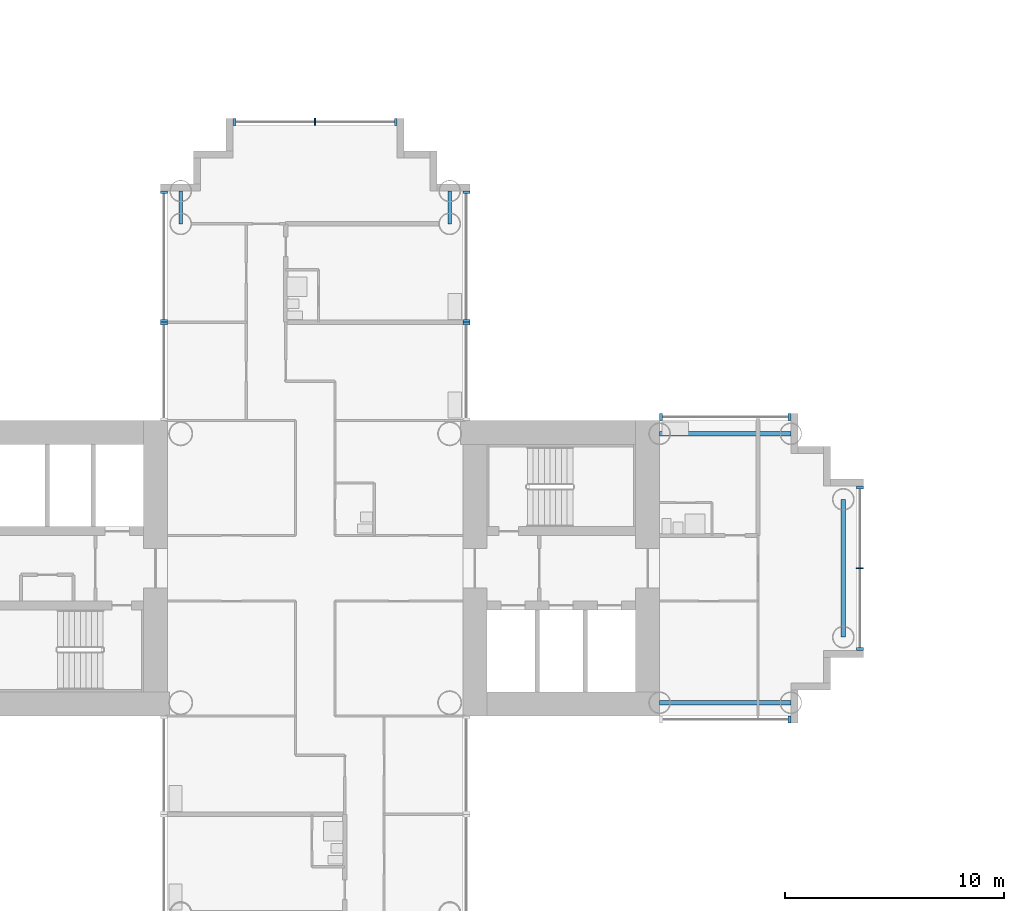
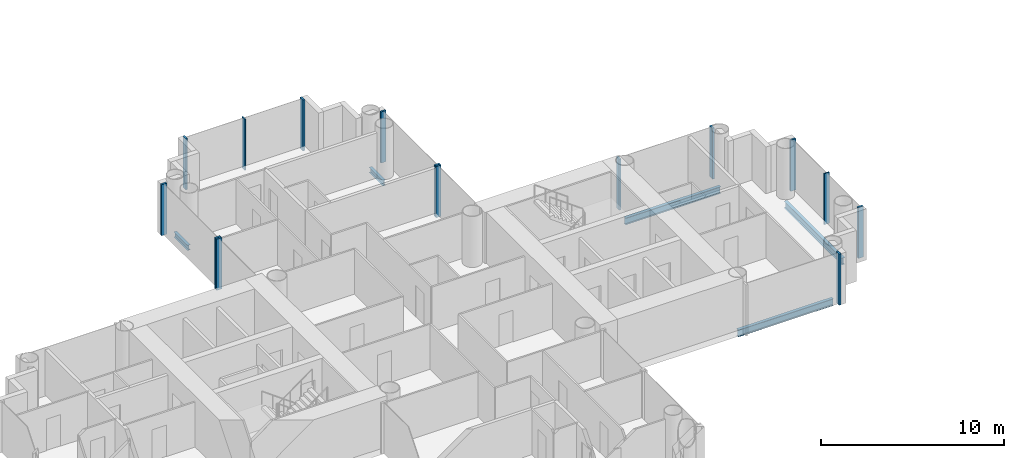
# One storey, part 4 of 21: 15 members, 5 beams, 8 elements without a shape of their own.
"""IFC4 building model written with IfcOpenShell, lengths in metres."""

from ifc_helpers import new_model, si_unit, direction, frame, origin, origin_2d, place, context, subcontext, project, spatial, rectangle, i_section, extrude, material, layer, layer_set, material_profile, profile_set, type_object, element, aggregate, save


model = new_model("IFC4")

# Units and contexts
model_context = context("Model", 3, precision=1e-05, world=origin(), true_north=direction((0.0, 1.0)))
body_context = subcontext(model_context, "Body", "Model", "MODEL_VIEW")
ifc_project = project(units=[si_unit("LENGTHUNIT", "METRE"), si_unit("AREAUNIT", "SQUARE_METRE"), si_unit("VOLUMEUNIT", "CUBIC_METRE"), si_unit("PLANEANGLEUNIT", "RADIAN"), si_unit("MASSUNIT", "GRAM", prefix="KILO")], contexts=[model_context])

# Site, building, storey
site_placement = place(None, origin())
site = spatial("IfcSite", under=ifc_project, at=site_placement, CompositionType="ELEMENT")
building_placement = place(site_placement, origin())
building = spatial("IfcBuilding", under=site, at=building_placement, Name="Ipe Terrace Towers", CompositionType="ELEMENT")
storey_placement = place(building_placement, frame((0.0, 0.0, 48.300048828125)))
storey = spatial("IfcBuildingStorey", under=building, at=storey_placement, Name="L12", CompositionType="ELEMENT", Elevation=48.300048828125)

# Beams
ifc_material_1 = material(Name="Steel S355", Category="steel")
ifc_material_profile_1 = material_profile(ifc_material_1, i_section(OverallWidth=0.175048828125, OverallDepth=0.35009765625, WebThickness=0.007080078125, FlangeThickness=0.010986328125, at=origin_2d()), Name="H-350x175x7x11")
ifc_profile_set_1 = profile_set([ifc_material_profile_1], Name="Steel S355")
beam_type_1 = type_object("IfcBeamType", Name="H04 EDGE BEAM H-350x175x7x11", PredefinedType="BEAM", material=ifc_profile_set_1)
for number, where, z_axis, x_axis, name in (
    (1, (-29.85009765625, 15.75, -0.574951171875), (0.0, 1.0, 0.0), (-1.0, 0.0, 0.0), "Edge beam T1-EB-B03-B05"),
    (2, (-42.14990234375, 15.75, -0.574951171875), (0.0, 1.0, 0.0), (-1.0, 0.0, 0.0), "Edge beam T1-EB-B04-B06"),
):
    element("IfcBeam", number, at=place(storey_placement, frame(where, z_axis=z_axis, x_axis=x_axis)), inside=storey, type_object=beam_type_1, Name=name, PredefinedType="BEAM", context=body_context, shape_type="SweptSolid", body=[
        extrude(i_section(OverallWidth=0.175048828125, OverallDepth=0.35009765625, WebThickness=0.007080078125, FlangeThickness=0.010986328125, at=origin_2d()), origin(), (0.0, 0.0, 1.0), 1.5),
    ])
ifc_material_2 = material(Name="Steel S355", Category="steel")
ifc_material_profile_2 = material_profile(ifc_material_2, i_section(OverallWidth=0.199951171875, OverallDepth=0.449951171875, WebThickness=0.009033203125, FlangeThickness=0.013916015625, at=origin_2d()), Name="H-450x200x9x14")
ifc_profile_set_2 = profile_set([ifc_material_profile_2], Name="Steel S355")
beam_type_2 = type_object("IfcBeamType", Name="H08 EDGE BEAM H-450x200x9x14", PredefinedType="BEAM", material=ifc_profile_set_2)
for number, where, z_axis, x_axis, name in (
    (3, (-20.25, -6.14990234375, -0.625), (1.0, 0.0, 0.0), (0.0, 1.0, 0.0), "Edge beam T1-EB-A01-A03"),
    (4, (-20.25, 6.14990234375, -0.625), (1.0, 0.0, 0.0), (0.0, 1.0, 0.0), "Edge beam T1-EB-A02-A04"),
):
    element("IfcBeam", number, at=place(storey_placement, frame(where, z_axis=z_axis, x_axis=x_axis)), inside=storey, type_object=beam_type_2, Name=name, PredefinedType="BEAM", context=body_context, shape_type="SweptSolid", body=[
        extrude(i_section(OverallWidth=0.199951171875, OverallDepth=0.449951171875, WebThickness=0.009033203125, FlangeThickness=0.013916015625, at=origin_2d()), origin(), (0.0, 0.0, 1.0), 6.0),
    ])
beam_placement = place(storey_placement, frame((-11.85009765625, -3.14990234375, -0.625), z_axis=(0.0, 1.0, 0.0), x_axis=(-1.0, 0.0, 0.0)))
element("IfcBeam", 5, at=beam_placement, inside=storey, type_object=beam_type_2, Name="Edge beam T1-EB-A05-A06", PredefinedType="BEAM", context=body_context, shape_type="SweptSolid", body=[
    extrude(i_section(OverallWidth=0.199951171875, OverallDepth=0.449951171875, WebThickness=0.009033203125, FlangeThickness=0.013916015625, at=origin_2d()), origin(), (0.0, 0.0, 1.0), 6.2998046875),
])

# Curtain wall, member
ifc_material_3 = material(Name="Aluminium alloy 6063-T6", Category="aluminium")
ifc_layer = layer(ifc_material_3, 0.320068359375)
ifc_layer_set = layer_set([ifc_layer], Name="TOWER UNITISED CURTAIN WALL")
curtain_wall_type = type_object("IfcCurtainWallType", Name="TOWER UNITISED CURTAIN WALL", PredefinedType="NOTDEFINED", material=ifc_layer_set)
curtain_wall_1_placement = place(storey_placement, origin())
curtain_wall_1 = element("IfcCurtainWall", 6, at=curtain_wall_1_placement, inside=storey, type_object=curtain_wall_type, Name="T1-CW-L12-20b curtain wall", PredefinedType="NOTDEFINED")
ifc_material_4 = material(Name="Aluminium alloy 6063-T6", Category="aluminium")
ifc_material_profile_3 = material_profile(ifc_material_4, rectangle(XDim=0.320068359375, YDim=0.1201171875, at=origin_2d()), Name="TOWER UNITISED CORNER MULLION 320 x 120")
ifc_profile_set_3 = profile_set([ifc_material_profile_3], Name="Aluminium alloy 6063-T6")
member_type_1 = type_object("IfcMemberType", Name="TOWER UNITISED CORNER MULLION 320 x 120", PredefinedType="MULLION", material=ifc_profile_set_3)
member_1_placement = place(storey_placement, frame((-14.31005859375, -6.909912109375, -0.300048828125), z_axis=(0.0, 0.0, 1.0), x_axis=(0.0, -1.0, 0.0)))
member_1 = element("IfcMember", 7, at=member_1_placement, type_object=member_type_1, Name="T1-CW-L12-20b mullion 2", PredefinedType="MULLION", context=body_context, shape_type="SweptSolid", body=[
    extrude(rectangle(XDim=0.320068359375, YDim=0.1201171875, at=origin_2d()), origin(), (0.0, 0.0, 1.0), 3.39990234375),
])
aggregate(curtain_wall_1, [member_1])

# Curtain wall, members
curtain_wall_2_placement = place(storey_placement, origin())
curtain_wall_2 = element("IfcCurtainWall", 8, at=curtain_wall_2_placement, inside=storey, type_object=curtain_wall_type, Name="T1-CW-L12-25a curtain wall", PredefinedType="NOTDEFINED")
member_2_placement = place(storey_placement, frame((-11.090087890625, -3.68994140625, -0.300048828125), z_axis=(0.0, 0.0, 1.0), x_axis=(1.0, 0.0, 0.0)))
member_2 = element("IfcMember", 9, at=member_2_placement, type_object=member_type_1, Name="T1-CW-L12-25a mullion 1", PredefinedType="MULLION", context=body_context, shape_type="SweptSolid", body=[
    extrude(rectangle(XDim=0.320068359375, YDim=0.1201171875, at=origin_2d()), origin(), (0.0, 0.0, 1.0), 3.39990234375),
])
member_3_placement = place(storey_placement, frame((-11.090087890625, 3.68994140625, -0.300048828125), z_axis=(0.0, 0.0, 1.0), x_axis=(1.0, 0.0, 0.0)))
member_3 = element("IfcMember", 10, at=member_3_placement, type_object=member_type_1, Name="T1-CW-L12-25a mullion 3", PredefinedType="MULLION", context=body_context, shape_type="SweptSolid", body=[
    extrude(rectangle(XDim=0.320068359375, YDim=0.1201171875, at=origin_2d()), origin(), (0.0, 0.0, 1.0), 3.39990234375),
])

curtain_wall_3_placement = place(storey_placement, origin())
curtain_wall_3 = element("IfcCurtainWall", 11, at=curtain_wall_3_placement, inside=storey, type_object=curtain_wall_type, Name="T1-CW-L12-30a curtain wall", PredefinedType="NOTDEFINED")
member_4_placement = place(storey_placement, frame((-14.31005859375, 6.909912109375, -0.300048828125), z_axis=(0.0, 0.0, 1.0), x_axis=(0.0, 1.0, 0.0)))
member_4 = element("IfcMember", 12, at=member_4_placement, type_object=member_type_1, Name="T1-CW-L12-30a mullion 1", PredefinedType="MULLION", context=body_context, shape_type="SweptSolid", body=[
    extrude(rectangle(XDim=0.320068359375, YDim=0.1201171875, at=origin_2d()), origin(), (0.0, 0.0, 1.0), 3.39990234375),
])
member_5_placement = place(storey_placement, frame((-20.18896484375, 6.909912109375, -0.300048828125), z_axis=(0.0, 0.0, 1.0), x_axis=(0.0, 1.0, 0.0)))
member_5 = element("IfcMember", 13, at=member_5_placement, type_object=member_type_1, Name="T1-CW-L12-30a mullion 2", PredefinedType="MULLION", context=body_context, shape_type="SweptSolid", body=[
    extrude(rectangle(XDim=0.320068359375, YDim=0.1201171875, at=origin_2d()), origin(), (0.0, 0.0, 1.0), 3.39990234375),
])
aggregate(curtain_wall_3, [member_4, member_5])

# Curtain wall, member
curtain_wall_4_placement = place(storey_placement, origin())
curtain_wall_4 = element("IfcCurtainWall", 14, at=curtain_wall_4_placement, inside=storey, type_object=curtain_wall_type, Name="T1-CW-L12-32a curtain wall", PredefinedType="NOTDEFINED")
member_6_placement = place(storey_placement, frame((-29.090087890625, 11.18994140625, -0.300048828125), z_axis=(0.0, 0.0, 1.0), x_axis=(1.0, 0.0, 0.0)))
member_6 = element("IfcMember", 15, at=member_6_placement, type_object=member_type_1, Name="T1-CW-L12-32a mullion 2", PredefinedType="MULLION", context=body_context, shape_type="SweptSolid", body=[
    extrude(rectangle(XDim=0.320068359375, YDim=0.1201171875, at=origin_2d()), origin(), (0.0, 0.0, 1.0), 3.39990234375),
])
aggregate(curtain_wall_4, [member_6])

# Curtain wall, members
curtain_wall_5_placement = place(storey_placement, origin())
curtain_wall_5 = element("IfcCurtainWall", 16, at=curtain_wall_5_placement, inside=storey, type_object=curtain_wall_type, Name="T1-CW-L12-33a curtain wall", PredefinedType="NOTDEFINED")
member_7_placement = place(storey_placement, frame((-29.090087890625, 11.31005859375, -0.300048828125), z_axis=(0.0, 0.0, 1.0), x_axis=(1.0, 0.0, 0.0)))
member_7 = element("IfcMember", 17, at=member_7_placement, type_object=member_type_1, Name="T1-CW-L12-33a mullion 1", PredefinedType="MULLION", context=body_context, shape_type="SweptSolid", body=[
    extrude(rectangle(XDim=0.320068359375, YDim=0.1201171875, at=origin_2d()), origin(), (0.0, 0.0, 1.0), 3.39990234375),
])
member_8_placement = place(storey_placement, frame((-29.090087890625, 17.18994140625, -0.300048828125), z_axis=(0.0, 0.0, 1.0), x_axis=(1.0, 0.0, 0.0)))
member_8 = element("IfcMember", 18, at=member_8_placement, type_object=member_type_1, Name="T1-CW-L12-33a mullion 2", PredefinedType="MULLION", context=body_context, shape_type="SweptSolid", body=[
    extrude(rectangle(XDim=0.320068359375, YDim=0.1201171875, at=origin_2d()), origin(), (0.0, 0.0, 1.0), 3.39990234375),
])
aggregate(curtain_wall_5, [member_7, member_8])

curtain_wall_6_placement = place(storey_placement, origin())
curtain_wall_6 = element("IfcCurtainWall", 19, at=curtain_wall_6_placement, inside=storey, type_object=curtain_wall_type, Name="T1-CW-L12-38a curtain wall", PredefinedType="NOTDEFINED")
member_9_placement = place(storey_placement, frame((-32.31005859375, 20.409912109375, -0.300048828125), z_axis=(0.0, 0.0, 1.0), x_axis=(0.0, 1.0, 0.0)))
member_9 = element("IfcMember", 20, at=member_9_placement, type_object=member_type_1, Name="T1-CW-L12-38a mullion 1", PredefinedType="MULLION", context=body_context, shape_type="SweptSolid", body=[
    extrude(rectangle(XDim=0.320068359375, YDim=0.1201171875, at=origin_2d()), origin(), (0.0, 0.0, 1.0), 3.39990234375),
])
member_10_placement = place(storey_placement, frame((-39.68994140625, 20.409912109375, -0.300048828125), z_axis=(0.0, 0.0, 1.0), x_axis=(0.0, 1.0, 0.0)))
member_10 = element("IfcMember", 21, at=member_10_placement, type_object=member_type_1, Name="T1-CW-L12-38a mullion 3", PredefinedType="MULLION", context=body_context, shape_type="SweptSolid", body=[
    extrude(rectangle(XDim=0.320068359375, YDim=0.1201171875, at=origin_2d()), origin(), (0.0, 0.0, 1.0), 3.39990234375),
])

curtain_wall_7_placement = place(storey_placement, origin())
curtain_wall_7 = element("IfcCurtainWall", 22, at=curtain_wall_7_placement, inside=storey, type_object=curtain_wall_type, Name="T1-CW-L12-43a curtain wall", PredefinedType="NOTDEFINED")
member_11_placement = place(storey_placement, frame((-42.909912109375, 17.18994140625, -0.300048828125), z_axis=(0.0, 0.0, 1.0), x_axis=(-1.0, 0.0, 0.0)))
member_11 = element("IfcMember", 23, at=member_11_placement, type_object=member_type_1, Name="T1-CW-L12-43a mullion 1", PredefinedType="MULLION", context=body_context, shape_type="SweptSolid", body=[
    extrude(rectangle(XDim=0.320068359375, YDim=0.1201171875, at=origin_2d()), origin(), (0.0, 0.0, 1.0), 3.39990234375),
])
member_12_placement = place(storey_placement, frame((-42.909912109375, 11.31005859375, -0.300048828125), z_axis=(0.0, 0.0, 1.0), x_axis=(-1.0, 0.0, 0.0)))
member_12 = element("IfcMember", 24, at=member_12_placement, type_object=member_type_1, Name="T1-CW-L12-43a mullion 2", PredefinedType="MULLION", context=body_context, shape_type="SweptSolid", body=[
    extrude(rectangle(XDim=0.320068359375, YDim=0.1201171875, at=origin_2d()), origin(), (0.0, 0.0, 1.0), 3.39990234375),
])
aggregate(curtain_wall_7, [member_11, member_12])

# Curtain wall, member
curtain_wall_8_placement = place(storey_placement, origin())
curtain_wall_8 = element("IfcCurtainWall", 25, at=curtain_wall_8_placement, inside=storey, type_object=curtain_wall_type, Name="T1-CW-L12-44a curtain wall", PredefinedType="NOTDEFINED")
member_13_placement = place(storey_placement, frame((-42.909912109375, 11.18994140625, -0.300048828125), z_axis=(0.0, 0.0, 1.0), x_axis=(-1.0, 0.0, 0.0)))
member_13 = element("IfcMember", 26, at=member_13_placement, type_object=member_type_1, Name="T1-CW-L12-44a mullion 1", PredefinedType="MULLION", context=body_context, shape_type="SweptSolid", body=[
    extrude(rectangle(XDim=0.320068359375, YDim=0.1201171875, at=origin_2d()), origin(), (0.0, 0.0, 1.0), 3.39990234375),
])
aggregate(curtain_wall_8, [member_13])

# Member
ifc_material_5 = material(Name="Aluminium alloy 6063-T6", Category="aluminium")
ifc_material_profile_4 = material_profile(ifc_material_5, rectangle(XDim=0.320068359375, YDim=0.06494140625, at=origin_2d()), Name="TOWER UNITISED MULLION 320 x 65")
ifc_profile_set_4 = profile_set([ifc_material_profile_4], Name="Aluminium alloy 6063-T6")
member_type_2 = type_object("IfcMemberType", Name="TOWER UNITISED MULLION 320 x 65", PredefinedType="MULLION", material=ifc_profile_set_4)
member_14_placement = place(storey_placement, frame((-11.090087890625, 0.0, -0.300048828125), z_axis=(0.0, 0.0, 1.0), x_axis=(1.0, 0.0, 0.0)))
member_14 = element("IfcMember", 27, at=member_14_placement, type_object=member_type_2, Name="T1-CW-L12-25a mullion 2", PredefinedType="MULLION", context=body_context, shape_type="SweptSolid", body=[
    extrude(rectangle(XDim=0.320068359375, YDim=0.06494140625, at=origin_2d()), origin(), (0.0, 0.0, 1.0), 3.39990234375),
])

aggregate(curtain_wall_2, [member_2, member_14, member_3])

member_15_placement = place(storey_placement, frame((-36.0, 20.409912109375, -0.300048828125), z_axis=(0.0, 0.0, 1.0), x_axis=(0.0, 1.0, 0.0)))
member_15 = element("IfcMember", 28, at=member_15_placement, type_object=member_type_2, Name="T1-CW-L12-38a mullion 2", PredefinedType="MULLION", context=body_context, shape_type="SweptSolid", body=[
    extrude(rectangle(XDim=0.320068359375, YDim=0.06494140625, at=origin_2d()), origin(), (0.0, 0.0, 1.0), 3.39990234375),
])

aggregate(curtain_wall_6, [member_9, member_15, member_10])

save(model, "model.ifc")
